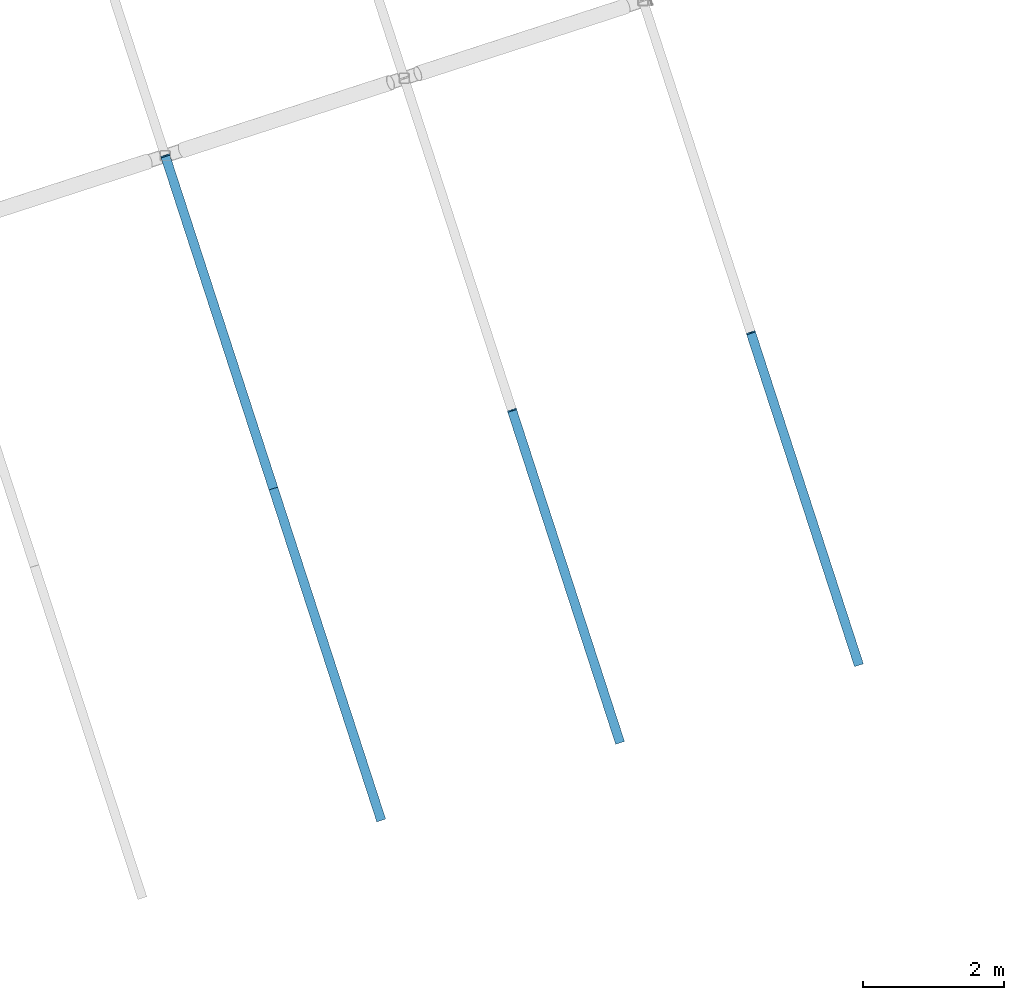
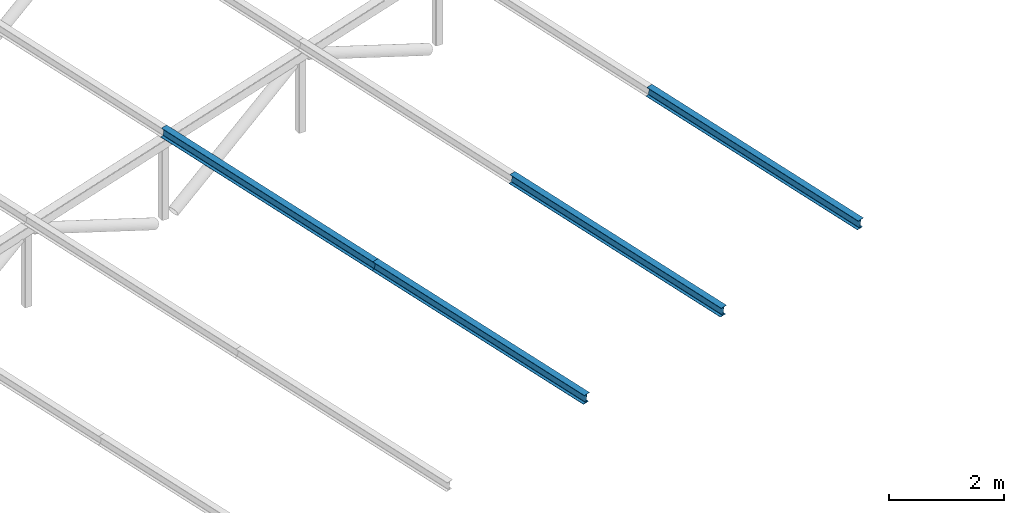
# One storey, part 3 of 43: 4 members.
"""IFC4 building model written with IfcOpenShell, lengths in metres."""

from ifc_helpers import new_model, si_unit, direction, frame, origin, origin_2d, place, context, subcontext, project, spatial, i_section, extrude, material, material_profile, profile_set, type_object, element, save


model = new_model("IFC4")

# Units and contexts
model_context = context("Model", 3, precision=1e-05, world=origin(), true_north=direction((0.0, 1.0)))
body_context = subcontext(model_context, "Body", "Model", "MODEL_VIEW")
ifc_project = project(units=[si_unit("LENGTHUNIT", "METRE"), si_unit("AREAUNIT", "SQUARE_METRE"), si_unit("VOLUMEUNIT", "CUBIC_METRE"), si_unit("PLANEANGLEUNIT", "RADIAN"), si_unit("MASSUNIT", "GRAM", prefix="KILO")], contexts=[model_context])

# Site, building, storey
site_placement = place(None, origin())
site = spatial("IfcSite", under=ifc_project, at=site_placement, CompositionType="ELEMENT")
building_placement = place(site_placement, origin())
building = spatial("IfcBuilding", under=site, at=building_placement, Name="Tuart Plaza Theatre", CompositionType="ELEMENT")
storey_placement = place(building_placement, frame((0.0, 0.0, 33.5)))
storey = spatial("IfcBuildingStorey", under=building, at=storey_placement, Name="L08", CompositionType="ELEMENT", Elevation=33.5)

# Members
ifc_material = material(Name="Steel Grade 300", Category="steel")
ifc_material_profile = material_profile(ifc_material, i_section(OverallWidth=0.133056640625, OverallDepth=0.202880859375, WebThickness=0.005859375, FlangeThickness=0.0078125, FilletRadius=0.0087890625, at=origin_2d()), Name="200UB25.4")
ifc_profile_set = profile_set([ifc_material_profile], Name="Steel Grade 300")
member_type = type_object("IfcMemberType", Name="MEMBER Purlin 200UB25.4", PredefinedType="PURLIN", material=ifc_profile_set)
member_1_placement = place(storey_placement, frame((60.320068359375, 80.209228515625, 0.137451171875), z_axis=(-0.307305261347, 0.945852730176, 0.104527934865), x_axis=(-0.951062698329, -0.308997967382, 0.0)))
element("IfcMember", 1, at=member_1_placement, inside=storey, type_object=member_type, Name="PU104", PredefinedType="PURLIN", context=body_context, shape_type="SweptSolid", body=[
    extrude(i_section(OverallWidth=0.133056640625, OverallDepth=0.202880859375, WebThickness=0.005859375, FlangeThickness=0.0078125, FilletRadius=0.0087890625, at=origin_2d()), origin(), (0.0, 0.0, 1.0), 4.977294921875),
])
member_2_placement = place(storey_placement, frame((58.79052734375, 84.9169921875, 0.65771484375), z_axis=(-0.307362362591, 0.94582845124, 0.104579725031), x_axis=(-0.95104349233, -0.309057075145, 0.0)))
element("IfcMember", 2, at=member_2_placement, inside=storey, type_object=member_type, Name="PU105", PredefinedType="PURLIN", context=body_context, shape_type="SweptSolid", body=[
    extrude(i_section(OverallWidth=0.133056640625, OverallDepth=0.202880859375, WebThickness=0.005859375, FlangeThickness=0.0078125, FilletRadius=0.0087890625, at=origin_2d()), origin(), (0.0, 0.0, 1.0), 4.97705078125),
])
member_3_placement = place(storey_placement, frame((63.706787109375, 81.3095703125, 0.137451171875), z_axis=(-0.307305261347, 0.945852730176, 0.104527934865), x_axis=(-0.951062698329, -0.308997967382, 0.0)))
element("IfcMember", 3, at=member_3_placement, inside=storey, type_object=member_type, Name="PU108", PredefinedType="PURLIN", context=body_context, shape_type="SweptSolid", body=[
    extrude(i_section(OverallWidth=0.133056640625, OverallDepth=0.202880859375, WebThickness=0.005859375, FlangeThickness=0.0078125, FilletRadius=0.0087890625, at=origin_2d()), origin(), (0.0, 0.0, 1.0), 4.977294921875),
])
member_4_placement = place(storey_placement, frame((67.09375, 82.41015625, 0.137451171875), z_axis=(-0.307319519439, 0.945847561662, 0.104532784665), x_axis=(-0.951057988813, -0.309012462396, 0.0)))
element("IfcMember", 4, at=member_4_placement, inside=storey, type_object=member_type, Name="PU112", PredefinedType="PURLIN", context=body_context, shape_type="SweptSolid", body=[
    extrude(i_section(OverallWidth=0.133056640625, OverallDepth=0.202880859375, WebThickness=0.005859375, FlangeThickness=0.0078125, FilletRadius=0.0087890625, at=origin_2d()), origin(), (0.0, 0.0, 1.0), 4.97705078125),
])

save(model, "model.ifc")
